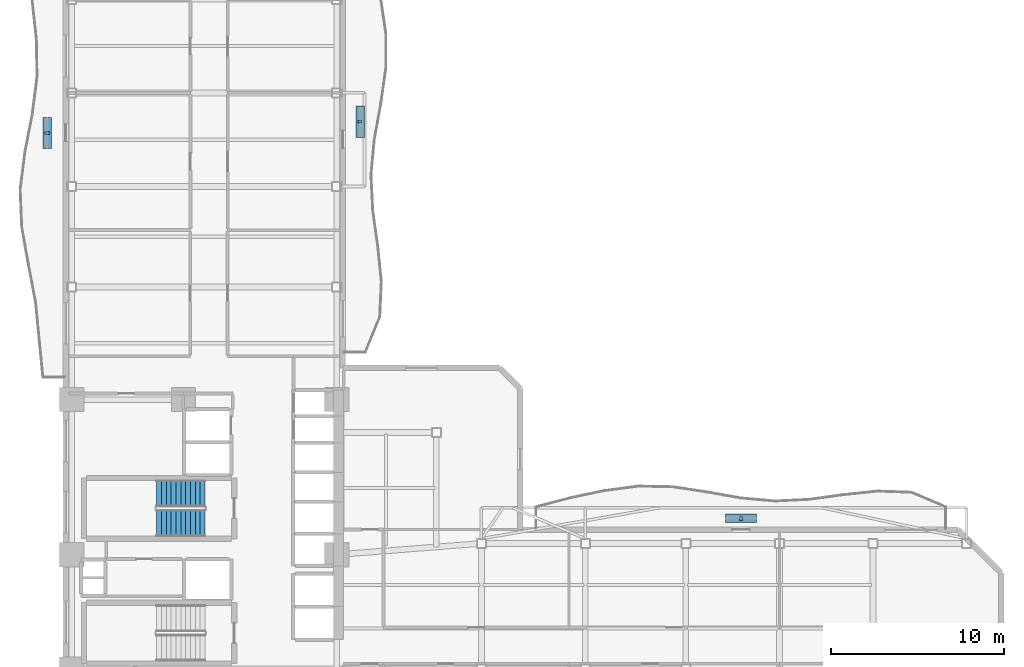
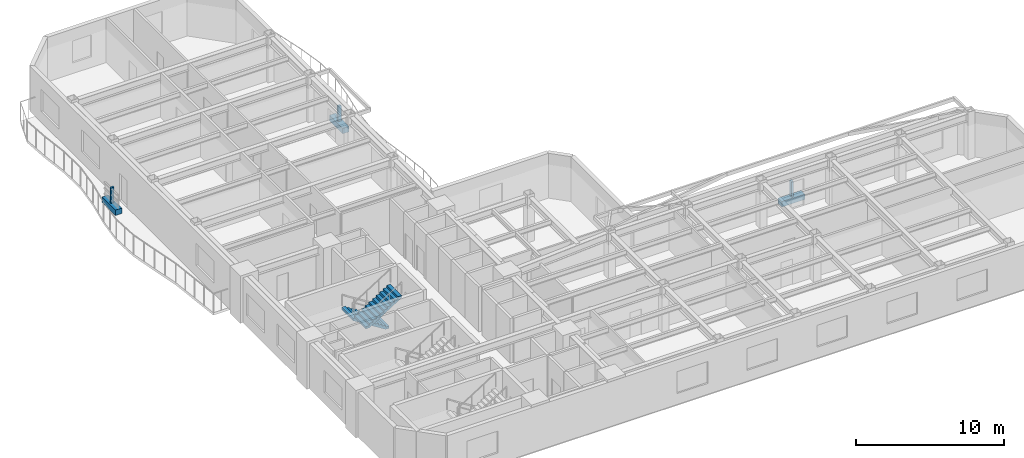
# One storey, part 7 of 10: 6 discrete accessories, 2 stair flights, 1 element without a shape of its own.
"""IFC4 building model written with IfcOpenShell, lengths in metres."""

import ifcopenshell
import ifcopenshell.guid

model = None  # the IFC model being written
_history = None  # IfcOwnerHistory: only IFC2X3 demands one
_inside = {}  # id of a spatial element -> (the spatial element, [elements in it])
_under = {}  # id of a project, library or spatial element -> (it, [spatial elements below it])
_declared = {}  # id of a project -> (the project, [libraries it declares])
_typed = {}  # id of a type object -> (the type object, [elements of that type])
_made_of = {}  # id of a material, layer set ... -> (it, [elements and type objects made of it])


def new_model(schema):
    """Start an empty IFC model of exactly this schema.

    Asked for "IFC4X3", IfcOpenShell would pick the latest addendum, in which some entities
    have other attributes; the version numbers below select the first issue.
    IFC2X3 requires an IfcOwnerHistory on every rooted entity: one is made here for all.
    """
    global model, _history
    if schema == "IFC4X3":
        model = ifcopenshell.file(schema_version=(4, 3, 0, 0))
    else:
        model = ifcopenshell.file(schema=schema)
    _inside.clear()
    _under.clear()
    _declared.clear()
    _typed.clear()
    _made_of.clear()
    _history = None
    if model.schema == "IFC2X3":
        org = make("IfcOrganization", Name="unknown")
        user = make(
            "IfcPersonAndOrganization",
            ThePerson=make("IfcPerson", FamilyName="unknown"),
            TheOrganization=org,
        )
        app = make(
            "IfcApplication",
            ApplicationDeveloper=org,
            Version="unknown",
            ApplicationFullName="unknown",
            ApplicationIdentifier="unknown",
        )
        _history = make(
            "IfcOwnerHistory",
            OwningUser=user,
            OwningApplication=app,
            ChangeAction="ADDED",
            CreationDate=0,
        )
    return model


def make(cls, **values):
    """One entity of the class cls with the attributes given. An attribute that is None is left unset."""
    return model.create_entity(
        cls, **{name: value for name, value in values.items() if value is not None}
    )


def rooted(cls, **values):
    """An entity with a GlobalId (a new one), such as an element, a storey or a relation."""
    return make(cls, GlobalId=ifcopenshell.guid.new(), OwnerHistory=_history, **values)


def si_unit(unit_type, name, prefix=None):
    """IfcSIUnit, for example si_unit("LENGTHUNIT", "METRE", prefix="MILLI")."""
    return make("IfcSIUnit", UnitType=unit_type, Prefix=prefix, Name=name)


def assignment(units):
    """IfcUnitAssignment: the units of a project."""
    return None if units is None else make("IfcUnitAssignment", Units=units)


def point(xyz):
    """IfcCartesianPoint."""
    return None if xyz is None else make("IfcCartesianPoint", Coordinates=xyz)


def direction(xyz):
    """IfcDirection."""
    return None if xyz is None else make("IfcDirection", DirectionRatios=xyz)


def frame(location, z_axis=None, x_axis=None):
    """IfcAxis2Placement3D, a coordinate frame: its origin and axes. An axis left out is left unset."""
    return make(
        "IfcAxis2Placement3D",
        Location=point(location),
        Axis=direction(z_axis),
        RefDirection=direction(x_axis),
    )


def frame_2d(location, x_axis=None):
    """IfcAxis2Placement2D, a coordinate frame in the plane: its origin and x axis."""
    return make(
        "IfcAxis2Placement2D", Location=point(location), RefDirection=direction(x_axis)
    )


def origin():
    """The frame at (0, 0, 0) with its axes left unset."""
    return frame((0.0, 0.0, 0.0))


def origin_2d():
    """The frame at (0, 0) in the plane with its x axis left unset."""
    return frame_2d((0.0, 0.0))


def place(relative_to, where):
    """IfcLocalPlacement: puts the frame where relative to a parent placement (None: the world)."""
    return make(
        "IfcLocalPlacement", PlacementRelTo=relative_to, RelativePlacement=where
    )


def context(
    kind, dimensions, precision=None, world=None, true_north=None, identifier=None
):
    """IfcGeometricRepresentationContext, for example the 3D "Model" context."""
    return make(
        "IfcGeometricRepresentationContext",
        ContextIdentifier=identifier,
        ContextType=kind,
        CoordinateSpaceDimension=dimensions,
        Precision=precision,
        WorldCoordinateSystem=world,
        TrueNorth=true_north,
    )


def subcontext(parent, identifier, kind, view, scale=None):
    """IfcGeometricRepresentationSubContext, for example "Body" below "Model"."""
    return make(
        "IfcGeometricRepresentationSubContext",
        ContextIdentifier=identifier,
        ContextType=kind,
        ParentContext=parent,
        TargetScale=scale,
        TargetView=view,
    )


def project(units=None, contexts=None):
    """IfcProject with its units and contexts."""
    return rooted(
        "IfcProject",
        Name="project",
        RepresentationContexts=contexts,
        UnitsInContext=assignment(units),
    )


def spatial(cls, under=None, at=None, **own):
    """A site, building, storey or space (cls), placed at a placement, below another one or the project."""
    s = rooted(cls, ObjectPlacement=at, **own)
    if under is not None:
        _under.setdefault(under.id(), (under, []))[1].append(s)
    return s


def polyline(points):
    """IfcPolyline through the points."""
    return make("IfcPolyline", Points=[point(p) for p in points])


def profile(cls, at=None, kind="AREA", **sizes):
    """A parametric profile (cls). Its sizes go by their IFC names, for example OverallWidth=200.0."""
    return make(cls, ProfileType=kind, Position=at, **sizes)


def rectangle(**sizes):
    """IfcRectangleProfileDef."""
    return profile("IfcRectangleProfileDef", **sizes)


def outline(outer, holes=None, kind="AREA"):
    """IfcArbitraryClosedProfileDef: a profile drawn as a closed curve; with holes, ...WithVoids."""
    if holes is None:
        return make("IfcArbitraryClosedProfileDef", ProfileType=kind, OuterCurve=outer)
    return make(
        "IfcArbitraryProfileDefWithVoids",
        ProfileType=kind,
        OuterCurve=outer,
        InnerCurves=holes,
    )


def extrude(swept, where, along, depth):
    """IfcExtrudedAreaSolid: the profile swept, set in the frame where, extruded along a direction by depth."""
    return make(
        "IfcExtrudedAreaSolid",
        SweptArea=swept,
        Position=where,
        ExtrudedDirection=direction(along),
        Depth=depth,
    )


def shape(context_of_items, identifier, shape_type, items):
    """IfcShapeRepresentation: the items that make up one representation, for example the "Body"."""
    return make(
        "IfcShapeRepresentation",
        ContextOfItems=context_of_items,
        RepresentationIdentifier=identifier,
        RepresentationType=shape_type,
        Items=items,
    )


def material(Name=None, Category=None):
    """IfcMaterial."""
    return make("IfcMaterial", Name=Name, Category=Category)


def made_of(thing, what):
    """Note that an element or type object is made of a material, layer set ...; save() writes the relation."""
    if what is not None:
        _made_of.setdefault(what.id(), (what, []))[1].append(thing)
    return thing


def type_object(cls, material=None, **own):
    """A type object (cls), such as IfcWallType, which elements share."""
    return made_of(rooted(cls, **own), material)


def element(
    cls,
    number,
    at=None,
    inside=None,
    cuts=None,
    type_object=None,
    material=None,
    context=None,
    identifier="Body",
    shape_type=None,
    held_by="IfcProductDefinitionShape",
    body=None,
    shapes=None,
    **own,
):
    """One element of the class cls, such as IfcWall. Its Tag is "e" and its number.

    at: its placement. inside: the storey or other place that contains it. cuts: it is an
    opening in that element (IfcRelVoidsElement). A single representation is given by context,
    identifier, shape_type and body (its items); several are given by shapes. held_by: the class
    of the entity that holds the representations. save() writes the other relations.
    """
    e = rooted(cls, Tag="e%d" % number, ObjectPlacement=at, **own)
    if body is not None:
        shapes = [shape(context, identifier, shape_type, body)]
    if shapes is not None:
        e.Representation = make(held_by, Representations=shapes)
    if inside is not None:
        _inside.setdefault(inside.id(), (inside, []))[1].append(e)
    if cuts is not None:
        rooted(
            "IfcRelVoidsElement", RelatingBuildingElement=cuts, RelatedOpeningElement=e
        )
    if type_object is not None:
        _typed.setdefault(type_object.id(), (type_object, []))[1].append(e)
    return made_of(e, material)


def aggregate(whole, parts):
    """IfcRelAggregates: a whole, such as a stair, and the parts it consists of."""
    return rooted("IfcRelAggregates", RelatingObject=whole, RelatedObjects=parts)


def save(model, path):
    """Write the relations noted so far, then the file.

    IfcRelAggregates (storeys below a building ...), IfcRelContainedInSpatialStructure (elements
    in a storey), IfcRelDefinesByType, IfcRelAssociatesMaterial and IfcRelDeclares: one each for
    every whole, place, type object, material and project.
    """
    for whole, parts in _under.values():
        aggregate(whole, parts)
    for where, things in _inside.values():
        rooted(
            "IfcRelContainedInSpatialStructure",
            RelatedElements=things,
            RelatingStructure=where,
        )
    for kind, things in _typed.values():
        rooted("IfcRelDefinesByType", RelatedObjects=things, RelatingType=kind)
    for what, things in _made_of.values():
        rooted("IfcRelAssociatesMaterial", RelatedObjects=things, RelatingMaterial=what)
    for by, libraries in _declared.values():
        rooted("IfcRelDeclares", RelatingContext=by, RelatedDefinitions=libraries)
    model.write(path)


model = new_model("IFC4")

# Units and contexts
model_context = context("Model", 3, precision=1e-05, world=origin(), true_north=direction((0.0, 1.0)))
body_context = subcontext(model_context, "Body", "Model", "MODEL_VIEW")
ifc_project = project(units=[si_unit("LENGTHUNIT", "METRE"), si_unit("AREAUNIT", "SQUARE_METRE"), si_unit("VOLUMEUNIT", "CUBIC_METRE"), si_unit("PLANEANGLEUNIT", "RADIAN"), si_unit("MASSUNIT", "GRAM", prefix="KILO")], contexts=[model_context])

# Site, building, storey
site_placement = place(None, origin())
site = spatial("IfcSite", under=ifc_project, at=site_placement, CompositionType="ELEMENT")
building_placement = place(site_placement, origin())
building = spatial("IfcBuilding", under=site, at=building_placement, Name="Mawjaban Terraces University", CompositionType="ELEMENT")
storey_placement = place(building_placement, frame((0.0, 0.0, 81.699951171875)))
storey = spatial("IfcBuildingStorey", under=building, at=storey_placement, Name="L19", CompositionType="ELEMENT", Elevation=81.699951171875)

# Stair, stair flights
ifc_material_1 = material(Name="Concrete C40/50", Category="concrete")
stair_type = type_object("IfcStairType", Name="Stair_Core1550_H39", PredefinedType="HALF_TURN_STAIR", material=ifc_material_1)
stair_placement = place(storey_placement, origin())
stair = element("IfcStair", 1, at=stair_placement, inside=storey, type_object=stair_type, Name="L19 Core Exit Stair 2", PredefinedType="HALF_TURN_STAIR")
stair_flight_type = type_object("IfcStairFlightType", Name="Flight_Core1550_H39", PredefinedType="STRAIGHT", material=ifc_material_1)
stair_flight_1_placement = place(storey_placement, frame((30.050048828125, 18.074951171875, 0.0), z_axis=(0.0, 0.0, 1.0), x_axis=(-1.0, 0.0, 0.0)))
stair_flight_1 = element("IfcStairFlight", 2, at=stair_flight_1_placement, type_object=stair_flight_type, Name="ST-2 flight 1", NumberOfRisers=11, NumberOfTreads=10, PredefinedType="STRAIGHT", RiserHeight=0.177272727, TreadLength=0.28, context=body_context, shape_type="SweptSolid", body=[
    extrude(outline(polyline([(0.0, 0.0), (0.0, 0.17724609375), (0.280029296875, 0.17724609375), (0.280029296875, 0.3544921875), (0.56005859375, 0.3544921875), (0.56005859375, 0.53173828125), (0.840087890625, 0.53173828125), (0.840087890625, 0.708984375), (1.1201171875, 0.708984375), (1.1201171875, 0.886474609375), (1.39990234375, 0.886474609375), (1.39990234375, 1.063720703125), (1.679931640625, 1.063720703125), (1.679931640625, 1.240966796875), (1.9599609375, 1.240966796875), (1.9599609375, 1.418212890625), (2.239990234375, 1.418212890625), (2.239990234375, 1.595458984375), (2.52001953125, 1.595458984375), (2.52001953125, 1.772705078125), (2.800048828125, 1.772705078125), (2.800048828125, 1.949951171875), (2.800048828125, 1.59521484375), (0.2802734375, 0.0), (0.0, 0.0)])), frame((0.0, 0.77490234375, 0.0), z_axis=(0.0, -1.0, 0.0), x_axis=(1.0, 0.0, 0.0)), (0.0, 0.0, 1.0), 1.550048828125),
])
stair_flight_2_placement = place(storey_placement, frame((27.25, 16.375, 1.949951171875), z_axis=(0.0, 0.0, 1.0), x_axis=(1.0, 0.0, 0.0)))
stair_flight_2 = element("IfcStairFlight", 3, at=stair_flight_2_placement, type_object=stair_flight_type, Name="ST-2 flight 2", NumberOfRisers=11, NumberOfTreads=10, PredefinedType="STRAIGHT", RiserHeight=0.177272727, TreadLength=0.28, context=body_context, shape_type="SweptSolid", body=[
    extrude(outline(polyline([(0.0, 0.0), (0.0, 0.17724609375), (0.280029296875, 0.17724609375), (0.280029296875, 0.3544921875), (0.56005859375, 0.3544921875), (0.56005859375, 0.53173828125), (0.840087890625, 0.53173828125), (0.840087890625, 0.708984375), (1.1201171875, 0.708984375), (1.1201171875, 0.886474609375), (1.39990234375, 0.886474609375), (1.39990234375, 1.063720703125), (1.679931640625, 1.063720703125), (1.679931640625, 1.240966796875), (1.9599609375, 1.240966796875), (1.9599609375, 1.418212890625), (2.239990234375, 1.418212890625), (2.239990234375, 1.595458984375), (2.52001953125, 1.595458984375), (2.52001953125, 1.772705078125), (2.800048828125, 1.772705078125), (2.800048828125, 1.949951171875), (2.800048828125, 1.59521484375), (0.2802734375, 0.0), (0.0, 0.0)])), frame((0.0, 0.77490234375, 0.0), z_axis=(0.0, -1.0, 0.0), x_axis=(1.0, 0.0, 0.0)), (0.0, 0.0, 1.0), 1.550048828125),
])
aggregate(stair, [stair_flight_1, stair_flight_2])

# Discrete accessories
ifc_material_2 = material(Name="Stainless steel 316L", Category="steel")
discrete_accessory_type_1 = type_object("IfcDiscreteAccessoryType", Name="FacadeScreenBracket_Steel", PredefinedType="BRACKET", material=ifc_material_2)
for number, where, z_axis, x_axis, name in (
    (4, (20.943115234375, 38.883056640625, 0.419921875), (0.0, 0.0, 1.0), (0.0, 1.0, 0.0), "L19 Balcony Screen Support Bracket west"),
    (5, (60.97509765625, 16.64501953125, 0.419921875), (0.0, 0.0, 1.0), (1.0, 0.0, 0.0), "L19 Balcony Screen Support Bracket inner_north"),
    (6, (39.0009765625, 39.541015625, 0.419921875), (0.0, 0.0, 1.0), (0.0, 1.0, 0.0), "L19 Balcony Screen Support Bracket inner_east"),
):
    element("IfcDiscreteAccessory", number, at=place(storey_placement, frame(where, z_axis=z_axis, x_axis=x_axis)), inside=storey, type_object=discrete_accessory_type_1, Name=name, PredefinedType="BRACKET", context=body_context, shape_type="SweptSolid", body=[
        extrude(rectangle(XDim=0.159912109375, YDim=0.239990234375, at=origin_2d()), origin(), (0.0, 0.0, 1.0), 1.300048828125),
    ])
ifc_material_3 = material(Name="Precast architectural terracotta planter with engineered planting soil", Category="masonry")
discrete_accessory_type_2 = type_object("IfcDiscreteAccessoryType", Name="IrrigatedPlanterTrough_450", PredefinedType="USERDEFINED", material=ifc_material_3)
for number, where, z_axis, x_axis, name in (
    (7, (20.943115234375, 38.883056640625, -0.0048828125), (0.0, 0.0, 1.0), (0.0, 1.0, 0.0), "L19 Balcony Irrigated Planter west"),
    (8, (60.97509765625, 16.64501953125, -0.0048828125), (0.0, 0.0, 1.0), (1.0, 0.0, 0.0), "L19 Balcony Irrigated Planter inner_north"),
    (9, (39.0009765625, 39.541015625, -0.0048828125), (0.0, 0.0, 1.0), (0.0, 1.0, 0.0), "L19 Balcony Irrigated Planter inner_east"),
):
    element("IfcDiscreteAccessory", number, at=place(storey_placement, frame(where, z_axis=z_axis, x_axis=x_axis)), inside=storey, type_object=discrete_accessory_type_2, Name=name, ObjectType="PLANTER", PredefinedType="USERDEFINED", context=body_context, shape_type="SweptSolid", body=[
        extrude(rectangle(XDim=1.800048828125, YDim=0.5, at=origin_2d()), origin(), (0.0, 0.0, 1.0), 0.449951171875),
    ])

save(model, "model.ifc")
